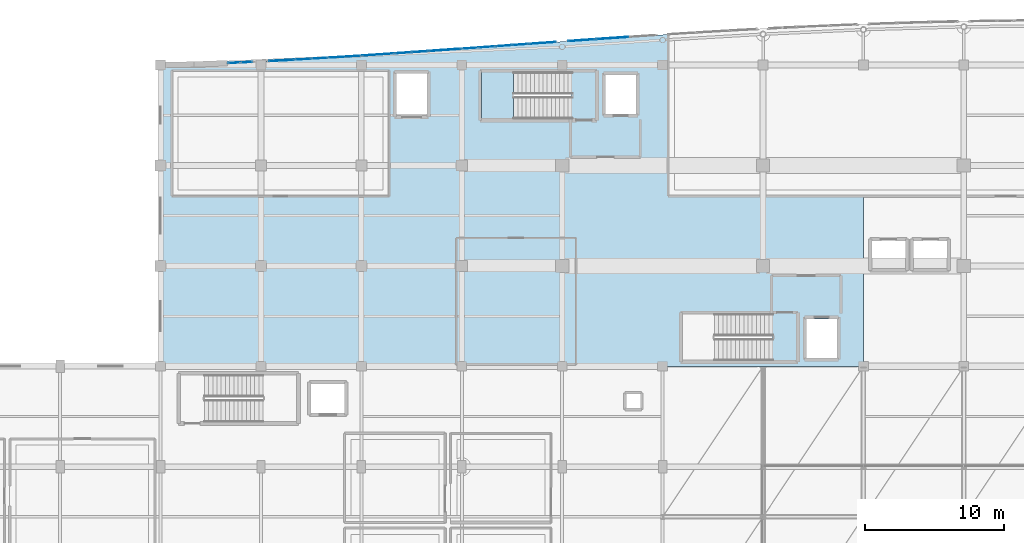
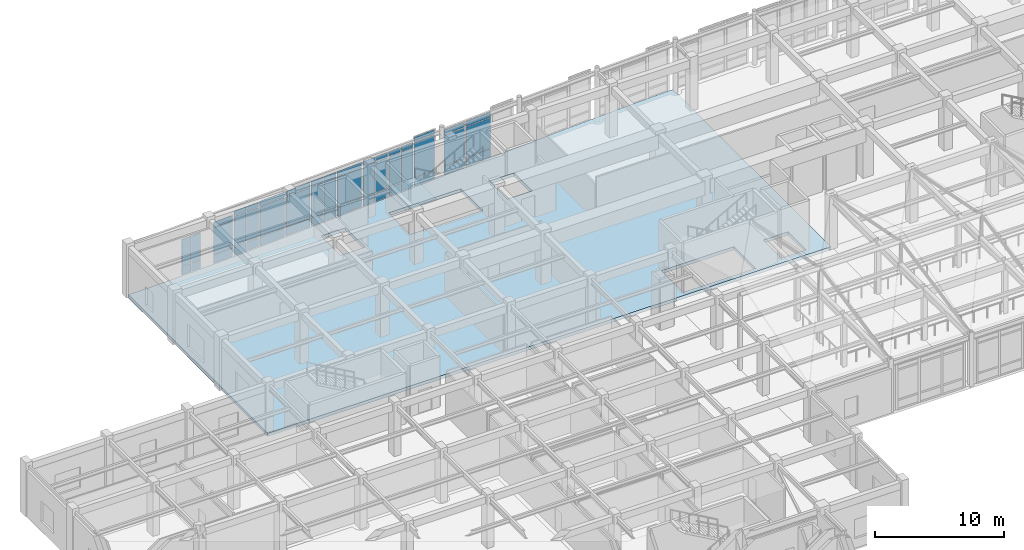
# One storey, part 72 of 117: 49 plates, 2 slabs, 13 elements without a shape of their own.
"""IFC4 building model written with IfcOpenShell, lengths in metres."""

from ifc_helpers import new_model, si_unit, direction, frame, origin, origin_2d, place, context, subcontext, project, spatial, polyline, rectangle, outline, extrude, material, layer, layer_set, type_object, element, aggregate, save


model = new_model("IFC4")

# Units and contexts
model_context = context("Model", 3, precision=1e-05, world=origin(), true_north=direction((0.0, 1.0)))
body_context = subcontext(model_context, "Body", "Model", "MODEL_VIEW")
ifc_project = project(units=[si_unit("LENGTHUNIT", "METRE"), si_unit("AREAUNIT", "SQUARE_METRE"), si_unit("VOLUMEUNIT", "CUBIC_METRE"), si_unit("PLANEANGLEUNIT", "RADIAN"), si_unit("MASSUNIT", "GRAM", prefix="KILO")], contexts=[model_context])

# Site, building, storey
site_placement = place(None, origin())
site = spatial("IfcSite", under=ifc_project, at=site_placement, CompositionType="ELEMENT")
building_placement = place(site_placement, origin())
building = spatial("IfcBuilding", under=site, at=building_placement, Name="Carrowvane Square Congress Hotel", CompositionType="ELEMENT")
storey_placement = place(building_placement, frame((0.0, 0.0, 5.39990234375)))
storey = spatial("IfcBuildingStorey", under=building, at=storey_placement, Name="L01", CompositionType="ELEMENT", Elevation=5.39990234375)

# Curtain wall, plates
ifc_material_1 = material(Name="Anodised aluminium", Category="aluminium")
ifc_layer_1 = layer(ifc_material_1, 0.174072265625)
ifc_layer_set_1 = layer_set([ifc_layer_1], Name="Anodised aluminium")
curtain_wall_type_1 = type_object("IfcCurtainWallType", Name="CW-SYS-2", PredefinedType="NOTDEFINED", material=ifc_layer_set_1)
curtain_wall_1_placement = place(storey_placement, origin())
curtain_wall_1 = element("IfcCurtainWall", 1, at=curtain_wall_1_placement, inside=storey, type_object=curtain_wall_type_1, Name="L01 unitised curtain wall 65", PredefinedType="NOTDEFINED")
ifc_material_2 = material(Name="Double-glazed low-E glass", Category="glass")
ifc_layer_2 = layer(ifc_material_2, 0.028076171875)
ifc_layer_set_2 = layer_set([ifc_layer_2], Name="Double-glazed low-E glass")
plate_type_1 = type_object("IfcPlateType", Name="CW-PAN-1", PredefinedType="CURTAIN_PANEL", material=ifc_layer_set_2)
plate_1_placement = place(storey_placement, frame((43.41748046875, 113.81787109375, 0.070068359375), z_axis=(0.0, 0.0, 1.0), x_axis=(0.99825866099, 0.058988522254, 0.0)))
plate_1 = element("IfcPlate", 2, at=plate_1_placement, type_object=plate_type_1, Name="CW-2 panel 1.1", PredefinedType="CURTAIN_PANEL", context=body_context, shape_type="SweptSolid", body=[
    extrude(rectangle(XDim=1.09716796875, YDim=0.028076171875, at=origin_2d()), origin(), (0.0, 0.0, 1.0), 0.794921875),
])
plate_2_placement = place(storey_placement, frame((43.41748046875, 113.81787109375, 0.93505859375), z_axis=(0.0, 0.0, 1.0), x_axis=(0.99825866099, 0.058988522254, 0.0)))
plate_2 = element("IfcPlate", 3, at=plate_2_placement, type_object=plate_type_1, Name="CW-2 panel 1.2", PredefinedType="CURTAIN_PANEL", context=body_context, shape_type="SweptSolid", body=[
    extrude(rectangle(XDim=1.09716796875, YDim=0.028076171875, at=origin_2d()), origin(), (0.0, 0.0, 1.0), 2.835693359375),
])
plate_3_placement = place(storey_placement, frame((43.41748046875, 113.81787109375, 3.8408203125), z_axis=(0.0, 0.0, 1.0), x_axis=(0.99825866099, 0.058988522254, 0.0)))
plate_3 = element("IfcPlate", 4, at=plate_3_placement, type_object=plate_type_1, Name="CW-2 panel 1.3", PredefinedType="CURTAIN_PANEL", context=body_context, shape_type="SweptSolid", body=[
    extrude(rectangle(XDim=1.09716796875, YDim=0.028076171875, at=origin_2d()), origin(), (0.0, 0.0, 1.0), 0.445068359375),
])
plate_4_placement = place(storey_placement, frame((44.58251953125, 113.88671875, 0.070068359375), z_axis=(0.0, 0.0, 1.0), x_axis=(0.99825866099, 0.058988522254, 0.0)))
plate_4 = element("IfcPlate", 5, at=plate_4_placement, type_object=plate_type_1, Name="CW-2 panel 2.1", PredefinedType="CURTAIN_PANEL", context=body_context, shape_type="SweptSolid", body=[
    extrude(rectangle(XDim=1.09716796875, YDim=0.028076171875, at=origin_2d()), origin(), (0.0, 0.0, 1.0), 0.794921875),
])
plate_5_placement = place(storey_placement, frame((44.58251953125, 113.88671875, 0.93505859375), z_axis=(0.0, 0.0, 1.0), x_axis=(0.99825866099, 0.058988522254, 0.0)))
plate_5 = element("IfcPlate", 6, at=plate_5_placement, type_object=plate_type_1, Name="CW-2 panel 2.2", PredefinedType="CURTAIN_PANEL", context=body_context, shape_type="SweptSolid", body=[
    extrude(rectangle(XDim=1.09716796875, YDim=0.028076171875, at=origin_2d()), origin(), (0.0, 0.0, 1.0), 2.835693359375),
])
plate_6_placement = place(storey_placement, frame((44.58251953125, 113.88671875, 3.8408203125), z_axis=(0.0, 0.0, 1.0), x_axis=(0.99825866099, 0.058988522254, 0.0)))
plate_6 = element("IfcPlate", 7, at=plate_6_placement, type_object=plate_type_1, Name="CW-2 panel 2.3", PredefinedType="CURTAIN_PANEL", context=body_context, shape_type="SweptSolid", body=[
    extrude(rectangle(XDim=1.09716796875, YDim=0.028076171875, at=origin_2d()), origin(), (0.0, 0.0, 1.0), 0.445068359375),
])
aggregate(curtain_wall_1, [plate_1, plate_2, plate_3, plate_4, plate_5, plate_6])

ifc_material_3 = material(Name="Anodised aluminium", Category="aluminium")
ifc_layer_3 = layer(ifc_material_3, 0.23388671875)
ifc_layer_set_3 = layer_set([ifc_layer_3], Name="Anodised aluminium")
curtain_wall_type_2 = type_object("IfcCurtainWallType", Name="CW-SYS-7", PredefinedType="NOTDEFINED", material=ifc_layer_set_3)
curtain_wall_2_placement = place(storey_placement, origin())
curtain_wall_2 = element("IfcCurtainWall", 8, at=curtain_wall_2_placement, inside=storey, type_object=curtain_wall_type_2, Name="L01 unitised curtain wall 70", PredefinedType="NOTDEFINED")
plate_7_placement = place(storey_placement, frame((55.4150390625, 114.615234375, 0.06005859375), z_axis=(0.0, 0.0, 1.0), x_axis=(0.997446448898, 0.071418356042, 0.0)))
plate_7 = element("IfcPlate", 9, at=plate_7_placement, type_object=plate_type_1, Name="CW-7 panel 1.1", PredefinedType="CURTAIN_PANEL", context=body_context, shape_type="SweptSolid", body=[
    extrude(rectangle(XDim=1.113037109375, YDim=0.028076171875, at=origin_2d()), origin(), (0.0, 0.0, 1.0), 0.81005859375),
])
plate_8_placement = place(storey_placement, frame((55.4150390625, 114.615234375, 0.929931640625), z_axis=(0.0, 0.0, 1.0), x_axis=(0.997446448898, 0.071418356042, 0.0)))
plate_8 = element("IfcPlate", 10, at=plate_8_placement, type_object=plate_type_1, Name="CW-7 panel 1.2", PredefinedType="CURTAIN_PANEL", context=body_context, shape_type="SweptSolid", body=[
    extrude(rectangle(XDim=1.113037109375, YDim=0.028076171875, at=origin_2d()), origin(), (0.0, 0.0, 1.0), 2.845703125),
])
plate_9_placement = place(storey_placement, frame((55.4150390625, 114.615234375, 3.835693359375), z_axis=(0.0, 0.0, 1.0), x_axis=(0.997446448898, 0.071418356042, 0.0)))
plate_9 = element("IfcPlate", 11, at=plate_9_placement, type_object=plate_type_1, Name="CW-7 panel 1.3", PredefinedType="CURTAIN_PANEL", context=body_context, shape_type="SweptSolid", body=[
    extrude(rectangle(XDim=1.113037109375, YDim=0.028076171875, at=origin_2d()), origin(), (0.0, 0.0, 1.0), 0.4599609375),
])
plate_10_placement = place(storey_placement, frame((56.5849609375, 114.698974609375, 0.06005859375), z_axis=(0.0, 0.0, 1.0), x_axis=(0.997446448898, 0.071418356042, 0.0)))
plate_10 = element("IfcPlate", 12, at=plate_10_placement, type_object=plate_type_1, Name="CW-7 panel 2.1", PredefinedType="CURTAIN_PANEL", context=body_context, shape_type="SweptSolid", body=[
    extrude(rectangle(XDim=1.113037109375, YDim=0.028076171875, at=origin_2d()), origin(), (0.0, 0.0, 1.0), 0.81005859375),
])
plate_11_placement = place(storey_placement, frame((56.5849609375, 114.698974609375, 0.929931640625), z_axis=(0.0, 0.0, 1.0), x_axis=(0.997446448898, 0.071418356042, 0.0)))
plate_11 = element("IfcPlate", 13, at=plate_11_placement, type_object=plate_type_1, Name="CW-7 panel 2.2", PredefinedType="CURTAIN_PANEL", context=body_context, shape_type="SweptSolid", body=[
    extrude(rectangle(XDim=1.113037109375, YDim=0.028076171875, at=origin_2d()), origin(), (0.0, 0.0, 1.0), 2.845703125),
])
plate_12_placement = place(storey_placement, frame((56.5849609375, 114.698974609375, 3.835693359375), z_axis=(0.0, 0.0, 1.0), x_axis=(0.997446448898, 0.071418356042, 0.0)))
plate_12 = element("IfcPlate", 14, at=plate_12_placement, type_object=plate_type_1, Name="CW-7 panel 2.3", PredefinedType="CURTAIN_PANEL", context=body_context, shape_type="SweptSolid", body=[
    extrude(rectangle(XDim=1.113037109375, YDim=0.028076171875, at=origin_2d()), origin(), (0.0, 0.0, 1.0), 0.4599609375),
])
aggregate(curtain_wall_2, [plate_7, plate_8, plate_9, plate_10, plate_11, plate_12])

ifc_material_4 = material(Name="Anodised aluminium", Category="aluminium")
ifc_layer_4 = layer(ifc_material_4, 0.18603515625)
ifc_layer_set_4 = layer_set([ifc_layer_4], Name="Anodised aluminium")
curtain_wall_type_3 = type_object("IfcCurtainWallType", Name="CW-SYS-3", PredefinedType="NOTDEFINED", material=ifc_layer_set_4)
curtain_wall_3_placement = place(storey_placement, origin())
curtain_wall_3 = element("IfcCurtainWall", 15, at=curtain_wall_3_placement, inside=storey, type_object=curtain_wall_type_3, Name="L01 unitised curtain wall 66", PredefinedType="NOTDEFINED")
ifc_material_5 = material(Name="Double-glazed low-E glass", Category="glass")
ifc_layer_5 = layer(ifc_material_5, 0.031982421875)
ifc_layer_set_5 = layer_set([ifc_layer_5], Name="Double-glazed low-E glass")
plate_type_2 = type_object("IfcPlateType", Name="CW-PAN-2", PredefinedType="CURTAIN_PANEL", material=ifc_layer_set_5)
plate_13_placement = place(storey_placement, frame((46.39990234375, 113.999267578125, 0.06005859375), z_axis=(0.0, 0.0, 1.0), x_axis=(0.997996225303, 0.063273487972, 0.0)))
plate_13 = element("IfcPlate", 16, at=plate_13_placement, type_object=plate_type_2, Name="CW-3 panel 1.1", PredefinedType="CURTAIN_PANEL", context=body_context, shape_type="SweptSolid", body=[
    extrude(rectangle(XDim=2.284912109375, YDim=0.031982421875, at=origin_2d()), origin(), (0.0, 0.0, 1.0), 0.81005859375),
])
plate_14_placement = place(storey_placement, frame((46.39990234375, 113.999267578125, 0.929931640625), z_axis=(0.0, 0.0, 1.0), x_axis=(0.997996225303, 0.063273487972, 0.0)))
plate_14 = element("IfcPlate", 17, at=plate_14_placement, type_object=plate_type_2, Name="CW-3 panel 1.2", PredefinedType="CURTAIN_PANEL", context=body_context, shape_type="SweptSolid", body=[
    extrude(rectangle(XDim=2.284912109375, YDim=0.031982421875, at=origin_2d()), origin(), (0.0, 0.0, 1.0), 2.845703125),
])
plate_15_placement = place(storey_placement, frame((46.39990234375, 113.999267578125, 3.835693359375), z_axis=(0.0, 0.0, 1.0), x_axis=(0.997996225303, 0.063273487972, 0.0)))
plate_15 = element("IfcPlate", 18, at=plate_15_placement, type_object=plate_type_2, Name="CW-3 panel 1.3", PredefinedType="CURTAIN_PANEL", context=body_context, shape_type="SweptSolid", body=[
    extrude(rectangle(XDim=2.284912109375, YDim=0.031982421875, at=origin_2d()), origin(), (0.0, 0.0, 1.0), 0.4599609375),
])
aggregate(curtain_wall_3, [plate_13, plate_14, plate_15])

ifc_material_6 = material(Name="Anodised aluminium", Category="aluminium")
ifc_layer_6 = layer(ifc_material_6, 0.24609375)
ifc_layer_set_6 = layer_set([ifc_layer_6], Name="Anodised aluminium")
curtain_wall_type_4 = type_object("IfcCurtainWallType", Name="CW-SYS-8", PredefinedType="NOTDEFINED", material=ifc_layer_set_6)
curtain_wall_4_placement = place(storey_placement, origin())
curtain_wall_4 = element("IfcCurtainWall", 19, at=curtain_wall_4_placement, inside=storey, type_object=curtain_wall_type_4, Name="L01 unitised curtain wall 71", PredefinedType="NOTDEFINED")
plate_16_placement = place(storey_placement, frame((57.8173828125, 114.787353515625, 0.070068359375), z_axis=(0.0, 0.0, 1.0), x_axis=(0.997438322595, 0.071531759512, 0.0)))
plate_16 = element("IfcPlate", 20, at=plate_16_placement, type_object=plate_type_2, Name="CW-8 panel 1.1", PredefinedType="CURTAIN_PANEL", context=body_context, shape_type="SweptSolid", body=[
    extrude(rectangle(XDim=1.09814453125, YDim=0.031982421875, at=origin_2d()), origin(), (0.0, 0.0, 1.0), 0.794921875),
])
plate_17_placement = place(storey_placement, frame((57.8173828125, 114.787353515625, 0.93505859375), z_axis=(0.0, 0.0, 1.0), x_axis=(0.997438322595, 0.071531759512, 0.0)))
plate_17 = element("IfcPlate", 21, at=plate_17_placement, type_object=plate_type_2, Name="CW-8 panel 1.2", PredefinedType="CURTAIN_PANEL", context=body_context, shape_type="SweptSolid", body=[
    extrude(rectangle(XDim=1.09814453125, YDim=0.031982421875, at=origin_2d()), origin(), (0.0, 0.0, 1.0), 2.835693359375),
])
plate_18_placement = place(storey_placement, frame((57.8173828125, 114.787353515625, 3.8408203125), z_axis=(0.0, 0.0, 1.0), x_axis=(0.997438322595, 0.071531759512, 0.0)))
plate_18 = element("IfcPlate", 22, at=plate_18_placement, type_object=plate_type_2, Name="CW-8 panel 1.3", PredefinedType="CURTAIN_PANEL", context=body_context, shape_type="SweptSolid", body=[
    extrude(rectangle(XDim=1.09814453125, YDim=0.031982421875, at=origin_2d()), origin(), (0.0, 0.0, 1.0), 0.445068359375),
])
plate_19_placement = place(storey_placement, frame((58.982666015625, 114.870849609375, 0.070068359375), z_axis=(0.0, 0.0, 1.0), x_axis=(0.997438322595, 0.071531759512, 0.0)))
plate_19 = element("IfcPlate", 23, at=plate_19_placement, type_object=plate_type_2, Name="CW-8 panel 2.1", PredefinedType="CURTAIN_PANEL", context=body_context, shape_type="SweptSolid", body=[
    extrude(rectangle(XDim=1.09814453125, YDim=0.031982421875, at=origin_2d()), origin(), (0.0, 0.0, 1.0), 0.794921875),
])
plate_20_placement = place(storey_placement, frame((58.982666015625, 114.870849609375, 0.93505859375), z_axis=(0.0, 0.0, 1.0), x_axis=(0.997438322595, 0.071531759512, 0.0)))
plate_20 = element("IfcPlate", 24, at=plate_20_placement, type_object=plate_type_2, Name="CW-8 panel 2.2", PredefinedType="CURTAIN_PANEL", context=body_context, shape_type="SweptSolid", body=[
    extrude(rectangle(XDim=1.09814453125, YDim=0.031982421875, at=origin_2d()), origin(), (0.0, 0.0, 1.0), 2.835693359375),
])
plate_21_placement = place(storey_placement, frame((58.982666015625, 114.870849609375, 3.8408203125), z_axis=(0.0, 0.0, 1.0), x_axis=(0.997438322595, 0.071531759512, 0.0)))
plate_21 = element("IfcPlate", 25, at=plate_21_placement, type_object=plate_type_2, Name="CW-8 panel 2.3", PredefinedType="CURTAIN_PANEL", context=body_context, shape_type="SweptSolid", body=[
    extrude(rectangle(XDim=1.09814453125, YDim=0.031982421875, at=origin_2d()), origin(), (0.0, 0.0, 1.0), 0.445068359375),
])
aggregate(curtain_wall_4, [plate_16, plate_17, plate_18, plate_19, plate_20, plate_21])

ifc_material_7 = material(Name="Anodised aluminium", Category="aluminium")
ifc_layer_7 = layer(ifc_material_7, 0.197998046875)
ifc_layer_set_7 = layer_set([ifc_layer_7], Name="Anodised aluminium")
curtain_wall_type_5 = type_object("IfcCurtainWallType", Name="CW-SYS-4", PredefinedType="NOTDEFINED", material=ifc_layer_set_7)
curtain_wall_5_placement = place(storey_placement, origin())
curtain_wall_5 = element("IfcCurtainWall", 26, at=curtain_wall_5_placement, inside=storey, type_object=curtain_wall_type_5, Name="L01 unitised curtain wall 67", PredefinedType="NOTDEFINED")
ifc_material_8 = material(Name="Double-glazed low-E glass", Category="glass")
ifc_layer_8 = layer(ifc_material_8, 0.035888671875)
ifc_layer_set_8 = layer_set([ifc_layer_8], Name="Double-glazed low-E glass")
plate_type_3 = type_object("IfcPlateType", Name="CW-PAN-3", PredefinedType="CURTAIN_PANEL", material=ifc_layer_set_8)
plate_22_placement = place(storey_placement, frame((48.800048828125, 114.155517578125, 0.070068359375), z_axis=(0.0, 0.0, 1.0), x_axis=(0.99778121937, 0.066578061501, 0.0)))
plate_22 = element("IfcPlate", 27, at=plate_22_placement, type_object=plate_type_3, Name="CW-4 panel 1.1", PredefinedType="CURTAIN_PANEL", context=body_context, shape_type="SweptSolid", body=[
    extrude(rectangle(XDim=2.265380859375, YDim=0.035888671875, at=origin_2d()), origin(), (0.0, 0.0, 1.0), 0.794921875),
])
plate_23_placement = place(storey_placement, frame((48.800048828125, 114.155517578125, 0.93505859375), z_axis=(0.0, 0.0, 1.0), x_axis=(0.99778121937, 0.066578061501, 0.0)))
plate_23 = element("IfcPlate", 28, at=plate_23_placement, type_object=plate_type_3, Name="CW-4 panel 1.2", PredefinedType="CURTAIN_PANEL", context=body_context, shape_type="SweptSolid", body=[
    extrude(rectangle(XDim=2.265380859375, YDim=0.035888671875, at=origin_2d()), origin(), (0.0, 0.0, 1.0), 2.835693359375),
])
plate_24_placement = place(storey_placement, frame((48.800048828125, 114.155517578125, 3.8408203125), z_axis=(0.0, 0.0, 1.0), x_axis=(0.99778121937, 0.066578061501, 0.0)))
plate_24 = element("IfcPlate", 29, at=plate_24_placement, type_object=plate_type_3, Name="CW-4 panel 1.3", PredefinedType="CURTAIN_PANEL", context=body_context, shape_type="SweptSolid", body=[
    extrude(rectangle(XDim=2.265380859375, YDim=0.035888671875, at=origin_2d()), origin(), (0.0, 0.0, 1.0), 0.445068359375),
])
aggregate(curtain_wall_5, [plate_22, plate_23, plate_24])

ifc_material_9 = material(Name="Anodised aluminium", Category="aluminium")
ifc_layer_9 = layer(ifc_material_9, 0.162109375)
ifc_layer_set_9 = layer_set([ifc_layer_9], Name="Anodised aluminium")
curtain_wall_type_6 = type_object("IfcCurtainWallType", Name="CW-SYS-1", PredefinedType="NOTDEFINED", material=ifc_layer_set_9)
curtain_wall_6_placement = place(storey_placement, origin())
curtain_wall_6 = element("IfcCurtainWall", 30, at=curtain_wall_6_placement, inside=storey, type_object=curtain_wall_type_6, Name="L01 unitised curtain wall 72", PredefinedType="NOTDEFINED")
plate_25_placement = place(storey_placement, frame((60.5947265625, 114.986083984375, 0.06005859375), z_axis=(0.0, 0.0, 1.0), x_axis=(0.997479146426, 0.070960217342, 0.0)))
plate_25 = element("IfcPlate", 31, at=plate_25_placement, type_object=plate_type_3, Name="CW-1 panel 1.1", PredefinedType="CURTAIN_PANEL", context=body_context, shape_type="SweptSolid", body=[
    extrude(rectangle(XDim=1.87451171875, YDim=0.035888671875, at=origin_2d()), origin(), (0.0, 0.0, 1.0), 0.81005859375),
])
plate_26_placement = place(storey_placement, frame((60.5947265625, 114.986083984375, 0.93017578125), z_axis=(0.0, 0.0, 1.0), x_axis=(0.997479146426, 0.070960217342, 0.0)))
plate_26 = element("IfcPlate", 32, at=plate_26_placement, type_object=plate_type_3, Name="CW-1 panel 1.2", PredefinedType="CURTAIN_PANEL", context=body_context, shape_type="SweptSolid", body=[
    extrude(rectangle(XDim=1.87451171875, YDim=0.035888671875, at=origin_2d()), origin(), (0.0, 0.0, 1.0), 3.27001953125),
])
plate_27_placement = place(storey_placement, frame((60.5947265625, 114.986083984375, 4.260009765625), z_axis=(0.0, 0.0, 1.0), x_axis=(0.997479146426, 0.070960217342, 0.0)))
plate_27 = element("IfcPlate", 33, at=plate_27_placement, type_object=plate_type_3, Name="CW-1 panel 1.3", PredefinedType="CURTAIN_PANEL", context=body_context, shape_type="SweptSolid", body=[
    extrude(rectangle(XDim=1.87451171875, YDim=0.035888671875, at=origin_2d()), origin(), (0.0, 0.0, 1.0), 0.4599609375),
])
aggregate(curtain_wall_6, [plate_25, plate_26, plate_27])

curtain_wall_7_placement = place(storey_placement, origin())
curtain_wall_7 = element("IfcCurtainWall", 34, at=curtain_wall_7_placement, inside=storey, type_object=curtain_wall_type_4, Name="L01 unitised curtain wall 63", PredefinedType="NOTDEFINED")
ifc_material_10 = material(Name="Double-glazed low-E glass", Category="glass")
ifc_layer_10 = layer(ifc_material_10, 0.0419921875)
ifc_layer_set_10 = layer_set([ifc_layer_10], Name="Double-glazed low-E glass")
plate_type_4 = type_object("IfcPlateType", Name="CW-PAN-4", PredefinedType="CURTAIN_PANEL", material=ifc_layer_set_10)
plate_28_placement = place(storey_placement, frame((38.4814453125, 113.5634765625, 0.070068359375), z_axis=(0.0, 0.0, 1.0), x_axis=(0.998917498926, 0.04651698979, 0.0)))
plate_28 = element("IfcPlate", 35, at=plate_28_placement, type_object=plate_type_4, Name="CW-8 panel 1.1", PredefinedType="CURTAIN_PANEL", context=body_context, shape_type="SweptSolid", body=[
    extrude(rectangle(XDim=0.82373046875, YDim=0.0419921875, at=origin_2d()), origin(), (0.0, 0.0, 1.0), 0.794921875),
])
plate_29_placement = place(storey_placement, frame((38.4814453125, 113.5634765625, 0.93505859375), z_axis=(0.0, 0.0, 1.0), x_axis=(0.998917498926, 0.04651698979, 0.0)))
plate_29 = element("IfcPlate", 36, at=plate_29_placement, type_object=plate_type_4, Name="CW-8 panel 1.2", PredefinedType="CURTAIN_PANEL", context=body_context, shape_type="SweptSolid", body=[
    extrude(rectangle(XDim=0.82373046875, YDim=0.0419921875, at=origin_2d()), origin(), (0.0, 0.0, 1.0), 2.4951171875),
])
plate_30_placement = place(storey_placement, frame((39.374267578125, 113.60498046875, 0.070068359375), z_axis=(0.0, 0.0, 1.0), x_axis=(0.998917498926, 0.04651698979, 0.0)))
plate_30 = element("IfcPlate", 37, at=plate_30_placement, type_object=plate_type_4, Name="CW-8 panel 2.1", PredefinedType="CURTAIN_PANEL", context=body_context, shape_type="SweptSolid", body=[
    extrude(rectangle(XDim=0.82373046875, YDim=0.0419921875, at=origin_2d()), origin(), (0.0, 0.0, 1.0), 0.794921875),
])
plate_31_placement = place(storey_placement, frame((39.374267578125, 113.60498046875, 0.93505859375), z_axis=(0.0, 0.0, 1.0), x_axis=(0.998917498926, 0.04651698979, 0.0)))
plate_31 = element("IfcPlate", 38, at=plate_31_placement, type_object=plate_type_4, Name="CW-8 panel 2.2", PredefinedType="CURTAIN_PANEL", context=body_context, shape_type="SweptSolid", body=[
    extrude(rectangle(XDim=0.82373046875, YDim=0.0419921875, at=origin_2d()), origin(), (0.0, 0.0, 1.0), 2.4951171875),
])
aggregate(curtain_wall_7, [plate_28, plate_29, plate_30, plate_31])

ifc_material_11 = material(Name="Anodised aluminium", Category="aluminium")
ifc_layer_11 = layer(ifc_material_11, 0.2099609375)
ifc_layer_set_11 = layer_set([ifc_layer_11], Name="Anodised aluminium")
curtain_wall_type_7 = type_object("IfcCurtainWallType", Name="CW-SYS-5", PredefinedType="NOTDEFINED", material=ifc_layer_set_11)
curtain_wall_8_placement = place(storey_placement, origin())
curtain_wall_8 = element("IfcCurtainWall", 39, at=curtain_wall_8_placement, inside=storey, type_object=curtain_wall_type_7, Name="L01 unitised curtain wall 68", PredefinedType="NOTDEFINED")
plate_32_placement = place(storey_placement, frame((50.614990234375, 114.278076171875, 0.06005859375), z_axis=(0.0, 0.0, 1.0), x_axis=(0.997617619706, 0.068986120725, 0.0)))
plate_32 = element("IfcPlate", 40, at=plate_32_placement, type_object=plate_type_4, Name="CW-5 panel 1.1", PredefinedType="CURTAIN_PANEL", context=body_context, shape_type="SweptSolid", body=[
    extrude(rectangle(XDim=1.11279296875, YDim=0.0419921875, at=origin_2d()), origin(), (0.0, 0.0, 1.0), 0.81005859375),
])
plate_33_placement = place(storey_placement, frame((50.614990234375, 114.278076171875, 0.929931640625), z_axis=(0.0, 0.0, 1.0), x_axis=(0.997617619706, 0.068986120725, 0.0)))
plate_33 = element("IfcPlate", 41, at=plate_33_placement, type_object=plate_type_4, Name="CW-5 panel 1.2", PredefinedType="CURTAIN_PANEL", context=body_context, shape_type="SweptSolid", body=[
    extrude(rectangle(XDim=1.11279296875, YDim=0.0419921875, at=origin_2d()), origin(), (0.0, 0.0, 1.0), 2.845703125),
])
plate_34_placement = place(storey_placement, frame((50.614990234375, 114.278076171875, 3.835693359375), z_axis=(0.0, 0.0, 1.0), x_axis=(0.997617619706, 0.068986120725, 0.0)))
plate_34 = element("IfcPlate", 42, at=plate_34_placement, type_object=plate_type_4, Name="CW-5 panel 1.3", PredefinedType="CURTAIN_PANEL", context=body_context, shape_type="SweptSolid", body=[
    extrude(rectangle(XDim=1.11279296875, YDim=0.0419921875, at=origin_2d()), origin(), (0.0, 0.0, 1.0), 0.4599609375),
])
plate_35_placement = place(storey_placement, frame((51.784912109375, 114.35888671875, 0.06005859375), z_axis=(0.0, 0.0, 1.0), x_axis=(0.997617619706, 0.068986120725, 0.0)))
plate_35 = element("IfcPlate", 43, at=plate_35_placement, type_object=plate_type_4, Name="CW-5 panel 2.1", PredefinedType="CURTAIN_PANEL", context=body_context, shape_type="SweptSolid", body=[
    extrude(rectangle(XDim=1.11279296875, YDim=0.0419921875, at=origin_2d()), origin(), (0.0, 0.0, 1.0), 0.81005859375),
])
plate_36_placement = place(storey_placement, frame((51.784912109375, 114.35888671875, 0.929931640625), z_axis=(0.0, 0.0, 1.0), x_axis=(0.997617619706, 0.068986120725, 0.0)))
plate_36 = element("IfcPlate", 44, at=plate_36_placement, type_object=plate_type_4, Name="CW-5 panel 2.2", PredefinedType="CURTAIN_PANEL", context=body_context, shape_type="SweptSolid", body=[
    extrude(rectangle(XDim=1.11279296875, YDim=0.0419921875, at=origin_2d()), origin(), (0.0, 0.0, 1.0), 2.845703125),
])
plate_37_placement = place(storey_placement, frame((51.784912109375, 114.35888671875, 3.835693359375), z_axis=(0.0, 0.0, 1.0), x_axis=(0.997617619706, 0.068986120725, 0.0)))
plate_37 = element("IfcPlate", 45, at=plate_37_placement, type_object=plate_type_4, Name="CW-5 panel 2.3", PredefinedType="CURTAIN_PANEL", context=body_context, shape_type="SweptSolid", body=[
    extrude(rectangle(XDim=1.11279296875, YDim=0.0419921875, at=origin_2d()), origin(), (0.0, 0.0, 1.0), 0.4599609375),
])
aggregate(curtain_wall_8, [plate_32, plate_33, plate_34, plate_35, plate_36, plate_37])

curtain_wall_9_placement = place(storey_placement, origin())
curtain_wall_9 = element("IfcCurtainWall", 46, at=curtain_wall_9_placement, inside=storey, type_object=curtain_wall_type_1, Name="L01 unitised curtain wall 73", PredefinedType="NOTDEFINED")
plate_38_placement = place(storey_placement, frame((63.378662109375, 115.182373046875, 0.070068359375), z_axis=(0.0, 0.0, 1.0), x_axis=(0.997566332949, 0.069723822092, 0.0)))
plate_38 = element("IfcPlate", 47, at=plate_38_placement, type_object=plate_type_4, Name="CW-2 panel 1.1", PredefinedType="CURTAIN_PANEL", context=body_context, shape_type="SweptSolid", body=[
    extrude(rectangle(XDim=1.90771484375, YDim=0.0419921875, at=origin_2d()), origin(), (0.0, 0.0, 1.0), 0.794921875),
])
plate_39_placement = place(storey_placement, frame((63.378662109375, 115.182373046875, 0.93505859375), z_axis=(0.0, 0.0, 1.0), x_axis=(0.997566332949, 0.069723822092, 0.0)))
plate_39 = element("IfcPlate", 48, at=plate_39_placement, type_object=plate_type_4, Name="CW-2 panel 1.2", PredefinedType="CURTAIN_PANEL", context=body_context, shape_type="SweptSolid", body=[
    extrude(rectangle(XDim=1.90771484375, YDim=0.0419921875, at=origin_2d()), origin(), (0.0, 0.0, 1.0), 2.835693359375),
])
plate_40_placement = place(storey_placement, frame((63.378662109375, 115.182373046875, 3.8408203125), z_axis=(0.0, 0.0, 1.0), x_axis=(0.997566332949, 0.069723822092, 0.0)))
plate_40 = element("IfcPlate", 49, at=plate_40_placement, type_object=plate_type_4, Name="CW-2 panel 1.3", PredefinedType="CURTAIN_PANEL", context=body_context, shape_type="SweptSolid", body=[
    extrude(rectangle(XDim=1.90771484375, YDim=0.0419921875, at=origin_2d()), origin(), (0.0, 0.0, 1.0), 0.445068359375),
])
aggregate(curtain_wall_9, [plate_38, plate_39, plate_40])

curtain_wall_10_placement = place(storey_placement, origin())
curtain_wall_10 = element("IfcCurtainWall", 50, at=curtain_wall_10_placement, inside=storey, type_object=curtain_wall_type_6, Name="L01 unitised curtain wall 64", PredefinedType="NOTDEFINED")
ifc_material_12 = material(Name="Double-glazed low-E glass", Category="glass")
ifc_layer_12 = layer(ifc_material_12, 0.048095703125)
ifc_layer_set_12 = layer_set([ifc_layer_12], Name="Double-glazed low-E glass")
plate_type_5 = type_object("IfcPlateType", Name="CW-PAN-5", PredefinedType="CURTAIN_PANEL", material=ifc_layer_set_12)
plate_41_placement = place(storey_placement, frame((41.859619140625, 113.73095703125, 0.06005859375), z_axis=(0.0, 0.0, 1.0), x_axis=(0.998567068588, 0.053514573083, 0.0)))
plate_41 = element("IfcPlate", 51, at=plate_41_placement, type_object=plate_type_5, Name="CW-1 panel 1.1", PredefinedType="CURTAIN_PANEL", context=body_context, shape_type="SweptSolid", body=[
    extrude(rectangle(XDim=1.763671875, YDim=0.048095703125, at=origin_2d()), origin(), (0.0, 0.0, 1.0), 0.81005859375),
])
plate_42_placement = place(storey_placement, frame((41.859619140625, 113.73095703125, 0.93017578125), z_axis=(0.0, 0.0, 1.0), x_axis=(0.998567068588, 0.053514573083, 0.0)))
plate_42 = element("IfcPlate", 52, at=plate_42_placement, type_object=plate_type_5, Name="CW-1 panel 1.2", PredefinedType="CURTAIN_PANEL", context=body_context, shape_type="SweptSolid", body=[
    extrude(rectangle(XDim=1.763671875, YDim=0.048095703125, at=origin_2d()), origin(), (0.0, 0.0, 1.0), 2.5048828125),
])
plate_43_placement = place(storey_placement, frame((41.859619140625, 113.73095703125, 3.4951171875), z_axis=(0.0, 0.0, 1.0), x_axis=(0.998567068588, 0.053514573083, 0.0)))
plate_43 = element("IfcPlate", 53, at=plate_43_placement, type_object=plate_type_5, Name="CW-1 panel 1.3", PredefinedType="CURTAIN_PANEL", context=body_context, shape_type="SweptSolid", body=[
    extrude(rectangle(XDim=1.763671875, YDim=0.048095703125, at=origin_2d()), origin(), (0.0, 0.0, 1.0), 0.4599609375),
])
aggregate(curtain_wall_10, [plate_41, plate_42, plate_43])

ifc_material_13 = material(Name="Anodised aluminium", Category="aluminium")
ifc_layer_13 = layer(ifc_material_13, 0.221923828125)
ifc_layer_set_13 = layer_set([ifc_layer_13], Name="Anodised aluminium")
curtain_wall_type_8 = type_object("IfcCurtainWallType", Name="CW-SYS-6", PredefinedType="NOTDEFINED", material=ifc_layer_set_13)
curtain_wall_11_placement = place(storey_placement, origin())
curtain_wall_11 = element("IfcCurtainWall", 54, at=curtain_wall_11_placement, inside=storey, type_object=curtain_wall_type_8, Name="L01 unitised curtain wall 69", PredefinedType="NOTDEFINED")
plate_44_placement = place(storey_placement, frame((53.60009765625, 114.486328125, 0.070068359375), z_axis=(0.0, 0.0, 1.0), x_axis=(0.997505697746, 0.070585996942, 0.0)))
plate_44 = element("IfcPlate", 55, at=plate_44_placement, type_object=plate_type_5, Name="CW-6 panel 1.1", PredefinedType="CURTAIN_PANEL", context=body_context, shape_type="SweptSolid", body=[
    extrude(rectangle(XDim=2.26611328125, YDim=0.048095703125, at=origin_2d()), origin(), (0.0, 0.0, 1.0), 0.794921875),
])
plate_45_placement = place(storey_placement, frame((53.60009765625, 114.486328125, 0.93505859375), z_axis=(0.0, 0.0, 1.0), x_axis=(0.997505697746, 0.070585996942, 0.0)))
plate_45 = element("IfcPlate", 56, at=plate_45_placement, type_object=plate_type_5, Name="CW-6 panel 1.2", PredefinedType="CURTAIN_PANEL", context=body_context, shape_type="SweptSolid", body=[
    extrude(rectangle(XDim=2.26611328125, YDim=0.048095703125, at=origin_2d()), origin(), (0.0, 0.0, 1.0), 2.835693359375),
])
plate_46_placement = place(storey_placement, frame((53.60009765625, 114.486328125, 3.8408203125), z_axis=(0.0, 0.0, 1.0), x_axis=(0.997505697746, 0.070585996942, 0.0)))
plate_46 = element("IfcPlate", 57, at=plate_46_placement, type_object=plate_type_5, Name="CW-6 panel 1.3", PredefinedType="CURTAIN_PANEL", context=body_context, shape_type="SweptSolid", body=[
    extrude(rectangle(XDim=2.26611328125, YDim=0.048095703125, at=origin_2d()), origin(), (0.0, 0.0, 1.0), 0.445068359375),
])
aggregate(curtain_wall_11, [plate_44, plate_45, plate_46])

curtain_wall_12_placement = place(storey_placement, origin())
curtain_wall_12 = element("IfcCurtainWall", 58, at=curtain_wall_12_placement, inside=storey, type_object=curtain_wall_type_3, Name="L01 unitised curtain wall 74", PredefinedType="NOTDEFINED")
plate_47_placement = place(storey_placement, frame((65.599853515625, 115.33544921875, 0.06005859375), z_axis=(0.0, 0.0, 1.0), x_axis=(0.997694484404, 0.067865424104, 0.0)))
plate_47 = element("IfcPlate", 59, at=plate_47_placement, type_object=plate_type_5, Name="CW-3 panel 1.1", PredefinedType="CURTAIN_PANEL", context=body_context, shape_type="SweptSolid", body=[
    extrude(rectangle(XDim=2.285400390625, YDim=0.048095703125, at=origin_2d()), origin(), (0.0, 0.0, 1.0), 0.81005859375),
])
plate_48_placement = place(storey_placement, frame((65.599853515625, 115.33544921875, 0.929931640625), z_axis=(0.0, 0.0, 1.0), x_axis=(0.997694484404, 0.067865424104, 0.0)))
plate_48 = element("IfcPlate", 60, at=plate_48_placement, type_object=plate_type_5, Name="CW-3 panel 1.2", PredefinedType="CURTAIN_PANEL", context=body_context, shape_type="SweptSolid", body=[
    extrude(rectangle(XDim=2.285400390625, YDim=0.048095703125, at=origin_2d()), origin(), (0.0, 0.0, 1.0), 2.845703125),
])
plate_49_placement = place(storey_placement, frame((65.599853515625, 115.33544921875, 3.835693359375), z_axis=(0.0, 0.0, 1.0), x_axis=(0.997694484404, 0.067865424104, 0.0)))
plate_49 = element("IfcPlate", 61, at=plate_49_placement, type_object=plate_type_5, Name="CW-3 panel 1.3", PredefinedType="CURTAIN_PANEL", context=body_context, shape_type="SweptSolid", body=[
    extrude(rectangle(XDim=2.285400390625, YDim=0.048095703125, at=origin_2d()), origin(), (0.0, 0.0, 1.0), 0.4599609375),
])
aggregate(curtain_wall_12, [plate_47, plate_48, plate_49])

# Slab
ifc_material_14 = material(Name="Concrete C35/45", Category="concrete")
ifc_layer_14 = layer(ifc_material_14, 0.300048828125)
ifc_layer_set_14 = layer_set([ifc_layer_14], Name="Concrete C35/45")
slab_type_1 = type_object("IfcSlabType", Name="SLB-FLR-300", PredefinedType="FLOOR", material=ifc_layer_set_14)
slab_1_placement = place(storey_placement, frame((0.0, 0.0, -0.2998046875)))
element("IfcSlab", 62, at=slab_1_placement, inside=storey, type_object=slab_type_1, Name="L01 Hotel Wing slab panel 1", PredefinedType="FLOOR", context=body_context, shape_type="SweptSolid", body=[
    extrude(outline(polyline([(33.199951171875, 91.800048828125), (83.60009765625, 91.800048828125), (83.60009765625, 116.323974609375), (81.199951171875, 116.2275390625), (78.800048828125, 116.118408203125), (76.39990234375, 115.99755859375), (74.0, 115.86572265625), (71.60009765625, 115.724365234375), (69.199951171875, 115.57421875), (66.800048828125, 115.4169921875), (64.39990234375, 115.253662109375), (62.0, 115.0859375), (59.60009765625, 114.915283203125), (57.199951171875, 114.7431640625), (54.800048828125, 114.5712890625), (52.39990234375, 114.4013671875), (50.0, 114.235595703125), (47.60009765625, 114.075439453125), (45.199951171875, 113.923095703125), (42.800048828125, 113.78125), (40.39990234375, 113.65283203125), (38.0, 113.541015625), (35.60009765625, 113.45166015625), (33.199951171875, 113.39990234375), (33.199951171875, 91.800048828125)]), holes=[polyline([(62.679931640625, 112.89990234375), (56.199951171875, 112.89990234375), (56.199951171875, 109.5400390625), (62.679931640625, 109.5400390625), (62.679931640625, 112.89990234375)]), polyline([(77.080078125, 95.56005859375), (70.60009765625, 95.56005859375), (70.60009765625, 92.199951171875), (77.080078125, 92.199951171875), (77.080078125, 95.56005859375)]), polyline([(65.10009765625, 109.89990234375), (67.300048828125, 109.89990234375), (67.300048828125, 112.699951171875), (65.10009765625, 112.699951171875), (65.10009765625, 109.89990234375)]), polyline([(79.5, 92.39990234375), (81.699951171875, 92.39990234375), (81.699951171875, 95.199951171875), (79.5, 95.199951171875), (79.5, 92.39990234375)]), polyline([(50.10009765625, 109.800048828125), (52.300048828125, 109.800048828125), (52.300048828125, 112.800048828125), (50.10009765625, 112.800048828125), (50.10009765625, 109.800048828125)])]), origin(), (0.0, 0.0, 1.0), 0.2998046875),
])

# Stair, slab
ifc_material_15 = material(Name="Concrete C35/45", Category="concrete")
stair_type = type_object("IfcStairType", Name="STR-DOG-03", PredefinedType="HALF_TURN_STAIR", material=ifc_material_15)
stair_placement = place(storey_placement, origin())
stair = element("IfcStair", 63, at=stair_placement, inside=storey, type_object=stair_type, Name="L01 Core C1 West Hotel Firefighting Stair", PredefinedType="HALF_TURN_STAIR")
ifc_material_16 = material(Name="Concrete C35/45", Category="concrete")
ifc_layer_15 = layer(ifc_material_16, 0.199951171875)
ifc_layer_set_15 = layer_set([ifc_layer_15], Name="Concrete C35/45")
slab_type_2 = type_object("IfcSlabType", Name="SLB-LND-200", PredefinedType="LANDING", material=ifc_layer_set_15)
slab_2_placement = place(storey_placement, frame((0.0, 0.0, 2.35009765625)))
slab_2 = element("IfcSlab", 64, at=slab_2_placement, type_object=slab_type_2, Name="ST1 landing 1", PredefinedType="LANDING", context=body_context, shape_type="SweptSolid", body=[
    extrude(outline(polyline([(58.52001953125, 112.89990234375), (56.199951171875, 112.89990234375), (56.199951171875, 109.5400390625), (58.52001953125, 109.5400390625), (58.52001953125, 112.89990234375)])), origin(), (0.0, 0.0, 1.0), 0.199951171875),
])
aggregate(stair, [slab_2])

save(model, "model.ifc")
